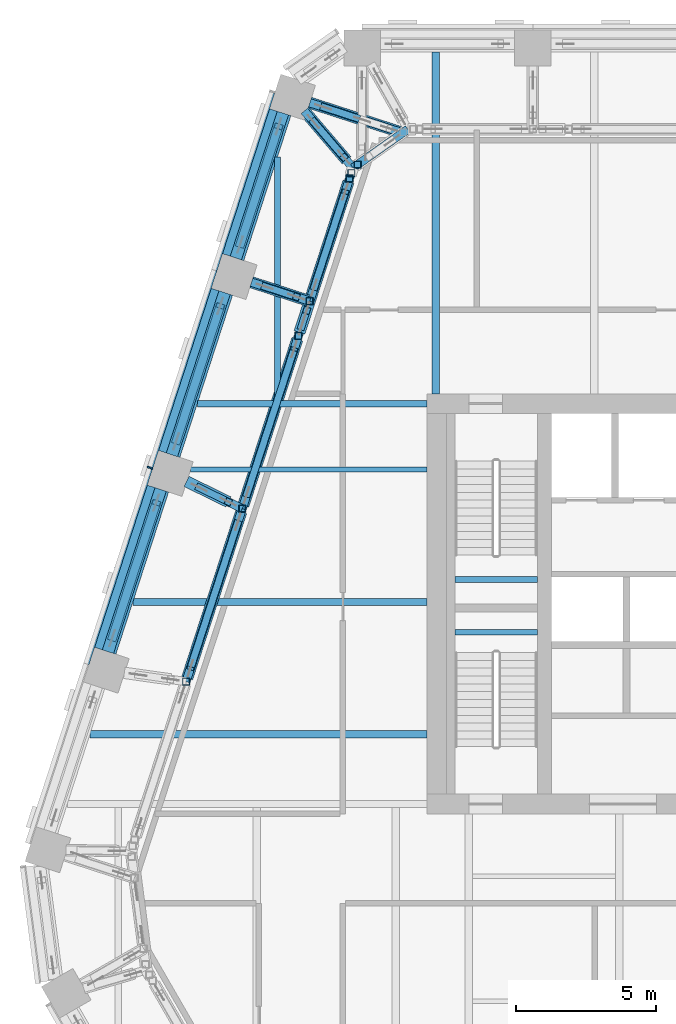
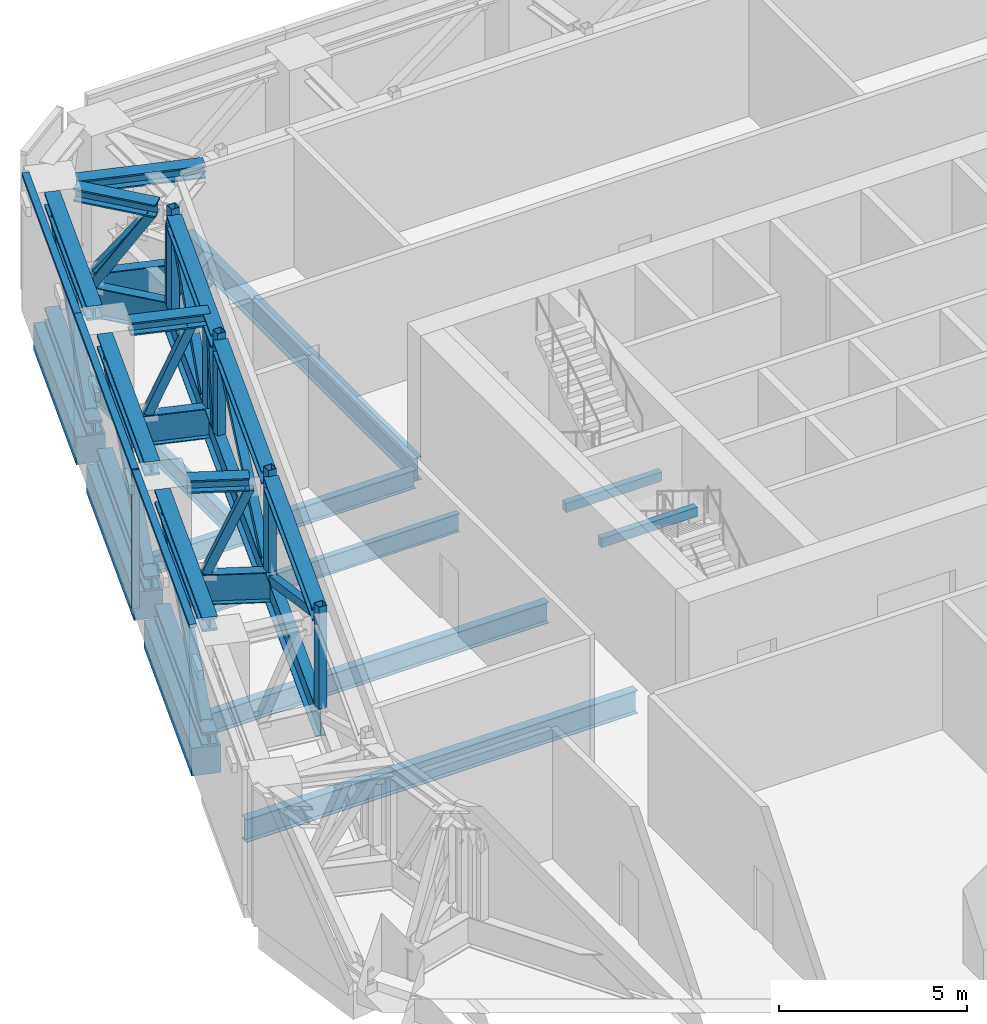
# One storey, part 9 of 26: 43 members, 11 beams, 1 element without a shape of its own.
"""IFC4 building model written with IfcOpenShell, lengths in metres."""

import ifcopenshell
import ifcopenshell.guid

model = None  # the IFC model being written
_history = None  # IfcOwnerHistory: only IFC2X3 demands one
_inside = {}  # id of a spatial element -> (the spatial element, [elements in it])
_under = {}  # id of a project, library or spatial element -> (it, [spatial elements below it])
_declared = {}  # id of a project -> (the project, [libraries it declares])
_typed = {}  # id of a type object -> (the type object, [elements of that type])
_made_of = {}  # id of a material, layer set ... -> (it, [elements and type objects made of it])


def new_model(schema):
    """Start an empty IFC model of exactly this schema.

    Asked for "IFC4X3", IfcOpenShell would pick the latest addendum, in which some entities
    have other attributes; the version numbers below select the first issue.
    IFC2X3 requires an IfcOwnerHistory on every rooted entity: one is made here for all.
    """
    global model, _history
    if schema == "IFC4X3":
        model = ifcopenshell.file(schema_version=(4, 3, 0, 0))
    else:
        model = ifcopenshell.file(schema=schema)
    _inside.clear()
    _under.clear()
    _declared.clear()
    _typed.clear()
    _made_of.clear()
    _history = None
    if model.schema == "IFC2X3":
        org = make("IfcOrganization", Name="unknown")
        user = make(
            "IfcPersonAndOrganization",
            ThePerson=make("IfcPerson", FamilyName="unknown"),
            TheOrganization=org,
        )
        app = make(
            "IfcApplication",
            ApplicationDeveloper=org,
            Version="unknown",
            ApplicationFullName="unknown",
            ApplicationIdentifier="unknown",
        )
        _history = make(
            "IfcOwnerHistory",
            OwningUser=user,
            OwningApplication=app,
            ChangeAction="ADDED",
            CreationDate=0,
        )
    return model


def make(cls, **values):
    """One entity of the class cls with the attributes given. An attribute that is None is left unset."""
    return model.create_entity(
        cls, **{name: value for name, value in values.items() if value is not None}
    )


def rooted(cls, **values):
    """An entity with a GlobalId (a new one), such as an element, a storey or a relation."""
    return make(cls, GlobalId=ifcopenshell.guid.new(), OwnerHistory=_history, **values)


def si_unit(unit_type, name, prefix=None):
    """IfcSIUnit, for example si_unit("LENGTHUNIT", "METRE", prefix="MILLI")."""
    return make("IfcSIUnit", UnitType=unit_type, Prefix=prefix, Name=name)


def assignment(units):
    """IfcUnitAssignment: the units of a project."""
    return None if units is None else make("IfcUnitAssignment", Units=units)


def point(xyz):
    """IfcCartesianPoint."""
    return None if xyz is None else make("IfcCartesianPoint", Coordinates=xyz)


def direction(xyz):
    """IfcDirection."""
    return None if xyz is None else make("IfcDirection", DirectionRatios=xyz)


def frame(location, z_axis=None, x_axis=None):
    """IfcAxis2Placement3D, a coordinate frame: its origin and axes. An axis left out is left unset."""
    return make(
        "IfcAxis2Placement3D",
        Location=point(location),
        Axis=direction(z_axis),
        RefDirection=direction(x_axis),
    )


def frame_2d(location, x_axis=None):
    """IfcAxis2Placement2D, a coordinate frame in the plane: its origin and x axis."""
    return make(
        "IfcAxis2Placement2D", Location=point(location), RefDirection=direction(x_axis)
    )


def origin():
    """The frame at (0, 0, 0) with its axes left unset."""
    return frame((0.0, 0.0, 0.0))


def origin_2d():
    """The frame at (0, 0) in the plane with its x axis left unset."""
    return frame_2d((0.0, 0.0))


def place(relative_to, where):
    """IfcLocalPlacement: puts the frame where relative to a parent placement (None: the world)."""
    return make(
        "IfcLocalPlacement", PlacementRelTo=relative_to, RelativePlacement=where
    )


def context(
    kind, dimensions, precision=None, world=None, true_north=None, identifier=None
):
    """IfcGeometricRepresentationContext, for example the 3D "Model" context."""
    return make(
        "IfcGeometricRepresentationContext",
        ContextIdentifier=identifier,
        ContextType=kind,
        CoordinateSpaceDimension=dimensions,
        Precision=precision,
        WorldCoordinateSystem=world,
        TrueNorth=true_north,
    )


def subcontext(parent, identifier, kind, view, scale=None):
    """IfcGeometricRepresentationSubContext, for example "Body" below "Model"."""
    return make(
        "IfcGeometricRepresentationSubContext",
        ContextIdentifier=identifier,
        ContextType=kind,
        ParentContext=parent,
        TargetScale=scale,
        TargetView=view,
    )


def project(units=None, contexts=None):
    """IfcProject with its units and contexts."""
    return rooted(
        "IfcProject",
        Name="project",
        RepresentationContexts=contexts,
        UnitsInContext=assignment(units),
    )


def spatial(cls, under=None, at=None, **own):
    """A site, building, storey or space (cls), placed at a placement, below another one or the project."""
    s = rooted(cls, ObjectPlacement=at, **own)
    if under is not None:
        _under.setdefault(under.id(), (under, []))[1].append(s)
    return s


def profile(cls, at=None, kind="AREA", **sizes):
    """A parametric profile (cls). Its sizes go by their IFC names, for example OverallWidth=200.0."""
    return make(cls, ProfileType=kind, Position=at, **sizes)


def rectangle(**sizes):
    """IfcRectangleProfileDef."""
    return profile("IfcRectangleProfileDef", **sizes)


def hollow_rectangle(**sizes):
    """IfcRectangleHollowProfileDef."""
    return profile("IfcRectangleHollowProfileDef", **sizes)


def i_section(**sizes):
    """IfcIShapeProfileDef."""
    return profile("IfcIShapeProfileDef", **sizes)


def extrude(swept, where, along, depth):
    """IfcExtrudedAreaSolid: the profile swept, set in the frame where, extruded along a direction by depth."""
    return make(
        "IfcExtrudedAreaSolid",
        SweptArea=swept,
        Position=where,
        ExtrudedDirection=direction(along),
        Depth=depth,
    )


def shape(context_of_items, identifier, shape_type, items):
    """IfcShapeRepresentation: the items that make up one representation, for example the "Body"."""
    return make(
        "IfcShapeRepresentation",
        ContextOfItems=context_of_items,
        RepresentationIdentifier=identifier,
        RepresentationType=shape_type,
        Items=items,
    )


def material(Name=None, Category=None):
    """IfcMaterial."""
    return make("IfcMaterial", Name=Name, Category=Category)


def layer(
    of_material, thickness, ventilated=None, Name=None, Category=None, Priority=None
):
    """IfcMaterialLayer: one layer of a wall or slab, of a material (None: an air gap)."""
    return make(
        "IfcMaterialLayer",
        Material=of_material,
        LayerThickness=thickness,
        IsVentilated=ventilated,
        Name=Name,
        Category=Category,
        Priority=Priority,
    )


def layer_set(layers, Name=None):
    """IfcMaterialLayerSet."""
    return make("IfcMaterialLayerSet", MaterialLayers=layers, LayerSetName=Name)


def material_profile(
    of_material, cross_section, Name=None, Category=None, Priority=None
):
    """IfcMaterialProfile: a cross section and its material."""
    return make(
        "IfcMaterialProfile",
        Name=Name,
        Material=of_material,
        Profile=cross_section,
        Priority=Priority,
        Category=Category,
    )


def profile_set(profiles, Name=None, composite=None):
    """IfcMaterialProfileSet."""
    return make(
        "IfcMaterialProfileSet",
        Name=Name,
        MaterialProfiles=profiles,
        CompositeProfile=composite,
    )


def made_of(thing, what):
    """Note that an element or type object is made of a material, layer set ...; save() writes the relation."""
    if what is not None:
        _made_of.setdefault(what.id(), (what, []))[1].append(thing)
    return thing


def type_object(cls, material=None, **own):
    """A type object (cls), such as IfcWallType, which elements share."""
    return made_of(rooted(cls, **own), material)


def element(
    cls,
    number,
    at=None,
    inside=None,
    cuts=None,
    type_object=None,
    material=None,
    context=None,
    identifier="Body",
    shape_type=None,
    held_by="IfcProductDefinitionShape",
    body=None,
    shapes=None,
    **own,
):
    """One element of the class cls, such as IfcWall. Its Tag is "e" and its number.

    at: its placement. inside: the storey or other place that contains it. cuts: it is an
    opening in that element (IfcRelVoidsElement). A single representation is given by context,
    identifier, shape_type and body (its items); several are given by shapes. held_by: the class
    of the entity that holds the representations. save() writes the other relations.
    """
    e = rooted(cls, Tag="e%d" % number, ObjectPlacement=at, **own)
    if body is not None:
        shapes = [shape(context, identifier, shape_type, body)]
    if shapes is not None:
        e.Representation = make(held_by, Representations=shapes)
    if inside is not None:
        _inside.setdefault(inside.id(), (inside, []))[1].append(e)
    if cuts is not None:
        rooted(
            "IfcRelVoidsElement", RelatingBuildingElement=cuts, RelatedOpeningElement=e
        )
    if type_object is not None:
        _typed.setdefault(type_object.id(), (type_object, []))[1].append(e)
    return made_of(e, material)


def aggregate(whole, parts):
    """IfcRelAggregates: a whole, such as a stair, and the parts it consists of."""
    return rooted("IfcRelAggregates", RelatingObject=whole, RelatedObjects=parts)


def save(model, path):
    """Write the relations noted so far, then the file.

    IfcRelAggregates (storeys below a building ...), IfcRelContainedInSpatialStructure (elements
    in a storey), IfcRelDefinesByType, IfcRelAssociatesMaterial and IfcRelDeclares: one each for
    every whole, place, type object, material and project.
    """
    for whole, parts in _under.values():
        aggregate(whole, parts)
    for where, things in _inside.values():
        rooted(
            "IfcRelContainedInSpatialStructure",
            RelatedElements=things,
            RelatingStructure=where,
        )
    for kind, things in _typed.values():
        rooted("IfcRelDefinesByType", RelatedObjects=things, RelatingType=kind)
    for what, things in _made_of.values():
        rooted("IfcRelAssociatesMaterial", RelatedObjects=things, RelatingMaterial=what)
    for by, libraries in _declared.values():
        rooted("IfcRelDeclares", RelatingContext=by, RelatedDefinitions=libraries)
    model.write(path)


model = new_model("IFC4")

# Units and contexts
model_context = context("Model", 3, precision=1e-05, world=origin(), true_north=direction((0.0, 1.0)))
body_context = subcontext(model_context, "Body", "Model", "MODEL_VIEW")
ifc_project = project(units=[si_unit("LENGTHUNIT", "METRE"), si_unit("AREAUNIT", "SQUARE_METRE"), si_unit("VOLUMEUNIT", "CUBIC_METRE"), si_unit("PLANEANGLEUNIT", "RADIAN"), si_unit("MASSUNIT", "GRAM", prefix="KILO")], contexts=[model_context])

# Site, building, storey
site_placement = place(None, origin())
site = spatial("IfcSite", under=ifc_project, at=site_placement, CompositionType="ELEMENT")
building_placement = place(site_placement, origin())
building = spatial("IfcBuilding", under=site, at=building_placement, Name="Isthmus Gate Tower", CompositionType="ELEMENT")
storey_placement = place(building_placement, frame((0.0, 0.0, 207.300048828125)))
storey = spatial("IfcBuildingStorey", under=building, at=storey_placement, Name="L52", CompositionType="ELEMENT", Elevation=207.300048828125)

# Members
ifc_material_1 = material(Name="Structural steel ASTM A913 Gr 65", Category="steel")
ifc_material_profile_1 = material_profile(ifc_material_1, i_section(OverallWidth=0.42236328125, OverallDepth=0.46337890625, WebThickness=0.04443359375, FlangeThickness=0.072998046875, at=origin_2d()), Name="W14X398")
ifc_profile_set_1 = profile_set([ifc_material_profile_1], Name="Structural steel ASTM A913 Gr 65")
member_type_1 = type_object("IfcMemberType", Name="BELT TRUSS CHORD W14X398", PredefinedType="CHORD", material=ifc_profile_set_1)
for number, where, z_axis, x_axis, name in (
    (1, (-26.39013671875, 5.79150390625, 0.231689453125), (0.309003593002, 0.951060870561, 0.0), (-0.951060870561, 0.309003593002, 0.0), "str-belt22-L52-01"),
    (2, (-26.39013671875, 5.79150390625, 3.96826171875), (0.309003593002, 0.951060870561, 0.0), (-0.951060870561, 0.309003593002, 0.0), "str-belt22-L52-02"),
    (3, (-24.106201171875, 12.820556640625, 0.231689453125), (0.309003593002, 0.951060870561, 0.0), (-0.951060870561, 0.309003593002, 0.0), "str-belt23-L52-01"),
    (4, (-24.106201171875, 12.820556640625, 3.96826171875), (0.309003593002, 0.951060870561, 0.0), (-0.951060870561, 0.309003593002, 0.0), "str-belt23-L52-02"),
):
    element("IfcMember", number, at=place(storey_placement, frame(where, z_axis=z_axis, x_axis=x_axis)), inside=storey, type_object=member_type_1, Name=name, PredefinedType="CHORD", context=body_context, shape_type="SweptSolid", body=[
        extrude(i_section(OverallWidth=0.42236328125, OverallDepth=0.46337890625, WebThickness=0.04443359375, FlangeThickness=0.072998046875, at=origin_2d()), origin(), (0.0, 0.0, 1.0), 6.0908203125),
    ])
for number, where, z_axis, x_axis, name in (
    (5, (-21.822265625, 19.849609375, 0.231689453125), (0.308989680586, 0.95106539065, 0.0), (-0.95106539065, 0.308989680586, 0.0), "str-belt24-L52-01"),
    (6, (-21.822265625, 19.849609375, 3.96826171875), (0.308989680586, 0.95106539065, 0.0), (-0.95106539065, 0.308989680586, 0.0), "str-belt24-L52-02"),
):
    element("IfcMember", number, at=place(storey_placement, frame(where, z_axis=z_axis, x_axis=x_axis)), inside=storey, type_object=member_type_1, Name=name, PredefinedType="CHORD", context=body_context, shape_type="SweptSolid", body=[
        extrude(i_section(OverallWidth=0.42236328125, OverallDepth=0.46337890625, WebThickness=0.04443359375, FlangeThickness=0.072998046875, at=origin_2d()), origin(), (0.0, 0.0, 1.0), 5.44091796875),
    ])

# Curtain wall, members
ifc_material_2 = material(Name="Aluminium, pale champagne anodised", Category="aluminium")
ifc_layer = layer(ifc_material_2, 0.199951171875)
ifc_layer_set = layer_set([ifc_layer], Name="CW-2 LOUVRE CURTAIN WALL 200 DEEP")
curtain_wall_type = type_object("IfcCurtainWallType", Name="CW-2 LOUVRE CURTAIN WALL 200 DEEP", PredefinedType="NOTDEFINED", material=ifc_layer_set)
curtain_wall_placement = place(storey_placement, origin())
curtain_wall = element("IfcCurtainWall", 7, at=curtain_wall_placement, inside=storey, type_object=curtain_wall_type, Name="CW-2 NW L52", PredefinedType="NOTDEFINED")
ifc_material_3 = material(Name="Aluminium, pale champagne anodised", Category="aluminium")
ifc_material_profile_2 = material_profile(ifc_material_3, rectangle(XDim=0.06005859375, YDim=0.199951171875, at=origin_2d()), Name="60x200")
ifc_profile_set_2 = profile_set([ifc_material_profile_2], Name="Aluminium, pale champagne anodised")
member_type_2 = type_object("IfcMemberType", Name="CW-2 MULLION 60 X 200", PredefinedType="MULLION", material=ifc_profile_set_2)
member_1_placement = place(storey_placement, frame((-24.886962890625, 12.359130859375, 0.0), z_axis=(0.0, 0.0, 1.0), x_axis=(-0.309016994375, -0.951056516295, 0.0)))
member_1 = element("IfcMember", 8, at=member_1_placement, type_object=member_type_2, Name="CW-2 mullion", PredefinedType="MULLION", context=body_context, shape_type="SweptSolid", body=[
    extrude(rectangle(XDim=0.06005859375, YDim=0.199951171875, at=origin_2d()), origin(), (0.0, 0.0, 1.0), 4.5),
])
ifc_material_4 = material(Name="Aluminium, pale champagne anodised", Category="aluminium")
ifc_material_profile_3 = material_profile(ifc_material_4, rectangle(XDim=0.199951171875, YDim=0.110107421875, at=origin_2d()), Name="200x110")
ifc_profile_set_3 = profile_set([ifc_material_profile_3], Name="Aluminium, pale champagne anodised")
member_type_3 = type_object("IfcMemberType", Name="CW-2 TRANSOM 200 X 110", PredefinedType="USERDEFINED", material=ifc_profile_set_3)
member_2_placement = place(storey_placement, frame((-20.529296875, 25.7705078125, 4.445068359375), z_axis=(-0.309015834351, -0.951056893209, 0.0), x_axis=(0.951056893209, -0.309015834351, 0.0)))
member_2 = element("IfcMember", 9, at=member_2_placement, type_object=member_type_3, Name="CW-2 transom", ObjectType="TRANSOM", PredefinedType="USERDEFINED", context=body_context, shape_type="SweptSolid", body=[
    extrude(rectangle(XDim=0.199951171875, YDim=0.110107421875, at=origin_2d()), origin(), (0.0, 0.0, 1.0), 6.6806640625),
])
member_3_placement = place(storey_placement, frame((-22.59375, 19.416748046875, 4.445068359375), z_axis=(-0.309024076379, -0.951054215183, 0.0), x_axis=(0.951054215183, -0.309024076379, 0.0)))
member_3 = element("IfcMember", 10, at=member_3_placement, type_object=member_type_3, Name="CW-2 transom", ObjectType="TRANSOM", PredefinedType="USERDEFINED", context=body_context, shape_type="SweptSolid", body=[
    extrude(rectangle(XDim=0.199951171875, YDim=0.110107421875, at=origin_2d()), origin(), (0.0, 0.0, 1.0), 7.390869140625),
])
member_4_placement = place(storey_placement, frame((-24.896240234375, 12.33056640625, 4.445068359375), z_axis=(-0.309025074527, -0.951053890857, 0.0), x_axis=(0.951053890857, -0.309025074527, 0.0)))
member_4 = element("IfcMember", 11, at=member_4_placement, type_object=member_type_3, Name="CW-2 transom", ObjectType="TRANSOM", PredefinedType="USERDEFINED", context=body_context, shape_type="SweptSolid", body=[
    extrude(rectangle(XDim=0.199951171875, YDim=0.110107421875, at=origin_2d()), origin(), (0.0, 0.0, 1.0), 7.330810546875),
])
aggregate(curtain_wall, [member_2, member_3, member_1, member_4])

# Beams
ifc_material_5 = material(Name="Concrete f'c 60 MPa", Category="concrete")
ifc_material_profile_4 = material_profile(ifc_material_5, rectangle(XDim=0.800048828125, YDim=0.89990234375, at=origin_2d()), Name="RC 800X900")
ifc_profile_set_4 = profile_set([ifc_material_profile_4], Name="Concrete f'c 60 MPa")
beam_type_1 = type_object("IfcBeamType", Name="RC SPANDREL 800 X 900", PredefinedType="SPANDREL", material=ifc_profile_set_4)
for number, where, z_axis, x_axis, name in (
    (12, (-26.485107421875, 5.822265625, -0.449951171875), (0.309003593002, 0.951060870561, 0.0), (-0.951060870561, 0.309003593002, 0.0), "str-spandrel-L52-22"),
    (13, (-24.201416015625, 12.851318359375, -0.449951171875), (0.309039848514, 0.951049090232, 0.0), (-0.951049090232, 0.309039848514, 0.0), "str-spandrel-L52-23"),
):
    element("IfcBeam", number, at=place(storey_placement, frame(where, z_axis=z_axis, x_axis=x_axis)), inside=storey, type_object=beam_type_1, Name=name, PredefinedType="SPANDREL", context=body_context, shape_type="SweptSolid", body=[
        extrude(rectangle(XDim=0.800048828125, YDim=0.89990234375, at=origin_2d()), origin(), (0.0, 0.0, 1.0), 6.0908203125),
    ])
beam_1_placement = place(storey_placement, frame((-21.91748046875, 19.88037109375, -0.449951171875), z_axis=(0.309030267747, 0.951052203413, 0.0), x_axis=(-0.951052203413, 0.309030267747, 0.0)))
element("IfcBeam", 14, at=beam_1_placement, inside=storey, type_object=beam_type_1, Name="str-spandrel-L52-24", PredefinedType="SPANDREL", context=body_context, shape_type="SweptSolid", body=[
    extrude(rectangle(XDim=0.800048828125, YDim=0.89990234375, at=origin_2d()), origin(), (0.0, 0.0, 1.0), 5.44091796875),
])
ifc_material_6 = material(Name="Concrete f'c 40 MPa", Category="concrete")
ifc_material_profile_5 = material_profile(ifc_material_6, rectangle(XDim=0.199951171875, YDim=0.300048828125, at=origin_2d()), Name="STAIR LANDING BEAM RC 200 X 300")
ifc_profile_set_5 = profile_set([ifc_material_profile_5], Name="Concrete f'c 40 MPa")
beam_type_2 = type_object("IfcBeamType", Name="STAIR LANDING BEAM RC 200 X 300", PredefinedType="BEAM", material=ifc_profile_set_5)
for number, where, z_axis, x_axis, name in (
    (15, (-14.0, 8.3701171875, 1.89990234375), (1.0, 0.0, 0.0), (0.0, 1.0, 0.0), "L52 ST1 landing beam 1"),
    (16, (-14.0, 6.47998046875, 1.89990234375), (1.0, 0.0, 0.0), (0.0, 1.0, 0.0), "L52 ST7 landing beam 1"),
):
    element("IfcBeam", number, at=place(storey_placement, frame(where, z_axis=z_axis, x_axis=x_axis)), inside=storey, type_object=beam_type_2, Name=name, PredefinedType="BEAM", context=body_context, shape_type="SweptSolid", body=[
        extrude(rectangle(XDim=0.199951171875, YDim=0.300048828125, at=origin_2d()), origin(), (0.0, 0.0, 1.0), 2.949951171875),
    ])
ifc_material_7 = material(Name="Structural steel ASTM A992 Gr 50", Category="steel")
ifc_material_profile_6 = material_profile(ifc_material_7, i_section(OverallWidth=0.177734375, OverallDepth=0.60009765625, WebThickness=0.009521484375, FlangeThickness=0.0126953125, at=origin_2d()), Name="W24X55")
ifc_profile_set_6 = profile_set([ifc_material_profile_6], Name="Structural steel ASTM A992 Gr 50")
beam_type_3 = type_object("IfcBeamType", Name="STEEL FLOOR BEAM W24X55", PredefinedType="JOIST", material=ifc_profile_set_6)
beam_2_placement = place(storey_placement, frame((-23.43798828125, 12.28857421875, -0.60009765625), z_axis=(1.0, 0.0, 0.0), x_axis=(0.0, 1.0, 0.0)))
element("IfcBeam", 17, at=beam_2_placement, inside=storey, type_object=beam_type_3, Name="str-beam-L52-01-02", PredefinedType="JOIST", context=body_context, shape_type="SweptSolid", body=[
    extrude(i_section(OverallWidth=0.177734375, OverallDepth=0.60009765625, WebThickness=0.009521484375, FlangeThickness=0.0126953125, at=origin_2d()), origin(), (0.0, 0.0, 1.0), 8.43798828125),
])
ifc_material_8 = material(Name="Structural steel ASTM A992 Gr 50", Category="steel")
ifc_material_profile_7 = material_profile(ifc_material_8, i_section(OverallWidth=0.228515625, OverallDepth=0.603271484375, WebThickness=0.010986328125, FlangeThickness=0.014404296875, at=origin_2d()), Name="W24X68")
ifc_profile_set_7 = profile_set([ifc_material_profile_7], Name="Structural steel ASTM A992 Gr 50")
beam_type_4 = type_object("IfcBeamType", Name="STEEL FLOOR BEAM W24X68", PredefinedType="JOIST", material=ifc_profile_set_7)
beam_3_placement = place(storey_placement, frame((-20.332763671875, 14.764404296875, -0.6015625), z_axis=(0.0, 1.0, 0.0), x_axis=(-1.0, 0.0, 0.0)))
element("IfcBeam", 18, at=beam_3_placement, inside=storey, type_object=beam_type_4, Name="str-beam-L52-05-00", PredefinedType="JOIST", context=body_context, shape_type="SweptSolid", body=[
    extrude(i_section(OverallWidth=0.228515625, OverallDepth=0.603271484375, WebThickness=0.010986328125, FlangeThickness=0.014404296875, at=origin_2d()), origin(), (0.0, 0.0, 1.0), 8.69873046875),
])
ifc_material_9 = material(Name="Structural steel ASTM A992 Gr 50", Category="steel")
ifc_material_profile_8 = material_profile(ifc_material_9, i_section(OverallWidth=0.25390625, OverallDepth=0.679443359375, WebThickness=0.010986328125, FlangeThickness=0.015869140625, at=origin_2d()), Name="W27X84")
ifc_profile_set_8 = profile_set([ifc_material_profile_8], Name="Structural steel ASTM A992 Gr 50")
beam_type_5 = type_object("IfcBeamType", Name="STEEL FLOOR BEAM W27X84", PredefinedType="JOIST", material=ifc_profile_set_8)
beam_4_placement = place(storey_placement, frame((-25.498046875, 7.56591796875, -0.6396484375), z_axis=(1.0, 0.0, 0.0), x_axis=(0.0, 1.0, 0.0)))
element("IfcBeam", 19, at=beam_4_placement, inside=storey, type_object=beam_type_5, Name="str-beam-L52-01-01", PredefinedType="JOIST", context=body_context, shape_type="SweptSolid", body=[
    extrude(i_section(OverallWidth=0.25390625, OverallDepth=0.679443359375, WebThickness=0.010986328125, FlangeThickness=0.015869140625, at=origin_2d()), origin(), (0.0, 0.0, 1.0), 10.498046875),
])
ifc_material_10 = material(Name="Structural steel ASTM A992 Gr 50", Category="steel")
ifc_material_profile_9 = material_profile(ifc_material_10, i_section(OverallWidth=0.263427734375, OverallDepth=0.749267578125, WebThickness=0.0126953125, FlangeThickness=0.015869140625, at=origin_2d()), Name="W30X90")
ifc_profile_set_9 = profile_set([ifc_material_profile_9], Name="Structural steel ASTM A992 Gr 50")
beam_type_6 = type_object("IfcBeamType", Name="STEEL FLOOR BEAM W30X90", PredefinedType="JOIST", material=ifc_profile_set_9)
beam_5_placement = place(storey_placement, frame((-27.03271484375, 2.843017578125, -0.6748046875), z_axis=(1.0, 0.0, 0.0), x_axis=(0.0, 1.0, 0.0)))
element("IfcBeam", 20, at=beam_5_placement, inside=storey, type_object=beam_type_6, Name="str-beam-L52-01-00", PredefinedType="JOIST", context=body_context, shape_type="SweptSolid", body=[
    extrude(i_section(OverallWidth=0.263427734375, OverallDepth=0.749267578125, WebThickness=0.0126953125, FlangeThickness=0.015869140625, at=origin_2d()), origin(), (0.0, 0.0, 1.0), 12.03271484375),
])
beam_6_placement = place(storey_placement, frame((-14.679931640625, 15.0, -0.6748046875), z_axis=(0.0, 1.0, 0.0), x_axis=(-1.0, 0.0, 0.0)))
element("IfcBeam", 21, at=beam_6_placement, inside=storey, type_object=beam_type_6, Name="str-beam-L52-05-01", PredefinedType="JOIST", context=body_context, shape_type="SweptSolid", body=[
    extrude(i_section(OverallWidth=0.263427734375, OverallDepth=0.749267578125, WebThickness=0.0126953125, FlangeThickness=0.015869140625, at=origin_2d()), origin(), (0.0, 0.0, 1.0), 12.199951171875),
])
ifc_material_11 = material(Name="Structural steel ASTM A992 Gr 50", Category="steel")
ifc_material_profile_10 = material_profile(ifc_material_11, i_section(OverallWidth=0.228515625, OverallDepth=0.6064453125, WebThickness=0.010986328125, FlangeThickness=0.017578125, at=origin_2d()), Name="W24X76")
ifc_profile_set_10 = profile_set([ifc_material_profile_10], Name="Structural steel ASTM A992 Gr 50")
beam_type_7 = type_object("IfcBeamType", Name="STEEL GIRDER W24X76", PredefinedType="BEAM", material=ifc_profile_set_10)
beam_7_placement = place(storey_placement, frame((-15.0, 14.64990234375, -0.603271484375), z_axis=(-1.0, 0.0, 0.0), x_axis=(0.0, -1.0, 0.0)))
element("IfcBeam", 22, at=beam_7_placement, inside=storey, type_object=beam_type_7, Name="str-girder-L52-15", PredefinedType="BEAM", context=body_context, shape_type="SweptSolid", body=[
    extrude(i_section(OverallWidth=0.228515625, OverallDepth=0.6064453125, WebThickness=0.010986328125, FlangeThickness=0.017578125, at=origin_2d()), origin(), (0.0, 0.0, 1.0), 8.1962890625),
])

# Members
ifc_material_12 = material(Name="Structural steel ASTM A913 Gr 65", Category="steel")
ifc_material_profile_11 = material_profile(ifc_material_12, i_section(OverallWidth=0.406494140625, OverallDepth=0.416015625, WebThickness=0.0302734375, FlangeThickness=0.047607421875, at=origin_2d()), Name="W14X257")
ifc_profile_set_11 = profile_set([ifc_material_profile_11], Name="Structural steel ASTM A913 Gr 65")
member_type_4 = type_object("IfcMemberType", Name="TRANSFER TRUSS CHORD W14X257", PredefinedType="CHORD", material=ifc_profile_set_11)
for number, where, z_axis, x_axis, name in (
    (23, (-23.56005859375, 4.843505859375, 3.89208984375), (0.309032973498, 0.951051324215, 0.0), (-0.951051324215, 0.309032973498, 0.0), "str-ring09-L52-15"),
    (24, (-21.553955078125, 11.017822265625, 3.89208984375), (0.309032973498, 0.951051324215, 0.0), (-0.951051324215, 0.309032973498, 0.0), "str-ring09-L52-16"),
):
    element("IfcMember", number, at=place(storey_placement, frame(where, z_axis=z_axis, x_axis=x_axis)), inside=storey, type_object=member_type_4, Name=name, PredefinedType="CHORD", context=body_context, shape_type="SweptSolid", body=[
        extrude(i_section(OverallWidth=0.406494140625, OverallDepth=0.416015625, WebThickness=0.0302734375, FlangeThickness=0.047607421875, at=origin_2d()), origin(), (0.0, 0.0, 1.0), 6.238037109375),
    ])
member_5_placement = place(storey_placement, frame((-19.5478515625, 17.19189453125, 3.89208984375), z_axis=(0.30902944408, 0.951052471051, 0.0), x_axis=(-0.951052471051, 0.30902944408, 0.0)))
element("IfcMember", 25, at=member_5_placement, inside=storey, type_object=member_type_4, Name="str-ring09-L52-17", PredefinedType="CHORD", context=body_context, shape_type="SweptSolid", body=[
    extrude(i_section(OverallWidth=0.406494140625, OverallDepth=0.416015625, WebThickness=0.0302734375, FlangeThickness=0.047607421875, at=origin_2d()), origin(), (0.0, 0.0, 1.0), 5.654296875),
])
member_6_placement = place(storey_placement, frame((-19.179443359375, 25.39501953125, 3.89208984375), z_axis=(0.951065465435, -0.308989450397, 0.0), x_axis=(0.308989450397, 0.951065465435, 0.0)))
element("IfcMember", 26, at=member_6_placement, inside=storey, type_object=member_type_4, Name="str-link05-L52-02", PredefinedType="CHORD", context=body_context, shape_type="SweptSolid", body=[
    extrude(i_section(OverallWidth=0.406494140625, OverallDepth=0.416015625, WebThickness=0.0302734375, FlangeThickness=0.047607421875, at=origin_2d()), origin(), (0.0, 0.0, 1.0), 3.4853515625),
])
member_7_placement = place(storey_placement, frame((-21.262451171875, 18.984130859375, 3.89208984375), z_axis=(0.951058704225, -0.309010260538, 0.0), x_axis=(0.309010260538, 0.951058704225, 0.0)))
element("IfcMember", 27, at=member_7_placement, inside=storey, type_object=member_type_4, Name="str-link06-L52-02", PredefinedType="CHORD", context=body_context, shape_type="SweptSolid", body=[
    extrude(i_section(OverallWidth=0.406494140625, OverallDepth=0.416015625, WebThickness=0.0302734375, FlangeThickness=0.047607421875, at=origin_2d()), origin(), (0.0, 0.0, 1.0), 2.1845703125),
])
member_8_placement = place(storey_placement, frame((-23.58056640625, 11.8701171875, 3.89208984375), z_axis=(0.898050831163, -0.439891696498, 0.0), x_axis=(0.439891696498, 0.898050831163, 0.0)))
element("IfcMember", 28, at=member_8_placement, inside=storey, type_object=member_type_4, Name="str-link07-L52-02", PredefinedType="CHORD", context=body_context, shape_type="SweptSolid", body=[
    extrude(i_section(OverallWidth=0.406494140625, OverallDepth=0.416015625, WebThickness=0.0302734375, FlangeThickness=0.047607421875, at=origin_2d()), origin(), (0.0, 0.0, 1.0), 1.6572265625),
])
member_9_placement = place(storey_placement, frame((-19.375, 25.10205078125, 3.89208984375), z_axis=(0.649968301541, -0.759961319405, 0.0), x_axis=(0.759961319405, 0.649968301541, 0.0)))
element("IfcMember", 29, at=member_9_placement, inside=storey, type_object=member_type_4, Name="str-link40-L52-02", PredefinedType="CHORD", context=body_context, shape_type="SweptSolid", body=[
    extrude(i_section(OverallWidth=0.406494140625, OverallDepth=0.416015625, WebThickness=0.0302734375, FlangeThickness=0.047607421875, at=origin_2d()), origin(), (0.0, 0.0, 1.0), 2.32177734375),
])
ifc_material_13 = material(Name="Structural steel ASTM A913 Gr 65", Category="steel")
ifc_material_profile_12 = material_profile(ifc_material_13, i_section(OverallWidth=0.29833984375, OverallDepth=0.981201171875, WebThickness=0.015869140625, FlangeThickness=0.025390625, at=origin_2d()), Name="W40X167")
ifc_profile_set_12 = profile_set([ifc_material_profile_12], Name="Structural steel ASTM A913 Gr 65")
member_type_5 = type_object("IfcMemberType", Name="TRANSFER TRUSS CHORD W40X167", PredefinedType="CHORD", material=ifc_profile_set_12)
member_10_placement = place(storey_placement, frame((-23.599365234375, 4.72265625, 0.490478515625), z_axis=(0.309009541063, 0.951058937991, 0.0), x_axis=(-0.951058937991, 0.309009541063, 0.0)))
element("IfcMember", 30, at=member_10_placement, inside=storey, type_object=member_type_5, Name="str-ring09-L52-10", PredefinedType="CHORD", context=body_context, shape_type="SweptSolid", body=[
    extrude(i_section(OverallWidth=0.29833984375, OverallDepth=0.981201171875, WebThickness=0.015869140625, FlangeThickness=0.025390625, at=origin_2d()), origin(), (0.0, 0.0, 1.0), 6.491943359375),
])
member_11_placement = place(storey_placement, frame((-21.59326171875, 10.89697265625, 0.490478515625), z_axis=(0.309010992999, 0.951058466239, 0.0), x_axis=(-0.951058466239, 0.309010992999, 0.0)))
element("IfcMember", 31, at=member_11_placement, inside=storey, type_object=member_type_5, Name="str-ring09-L52-11", PredefinedType="CHORD", context=body_context, shape_type="SweptSolid", body=[
    extrude(i_section(OverallWidth=0.29833984375, OverallDepth=0.981201171875, WebThickness=0.015869140625, FlangeThickness=0.025390625, at=origin_2d()), origin(), (0.0, 0.0, 1.0), 7.7939453125),
])
member_12_placement = place(storey_placement, frame((-19.184814453125, 18.3095703125, 0.490478515625), z_axis=(0.309049681388, 0.95104589502, 0.0), x_axis=(-0.95104589502, 0.309049681388, 0.0)))
element("IfcMember", 32, at=member_12_placement, inside=storey, type_object=member_type_5, Name="str-ring09-L52-12", PredefinedType="CHORD", context=body_context, shape_type="SweptSolid", body=[
    extrude(i_section(OverallWidth=0.29833984375, OverallDepth=0.981201171875, WebThickness=0.015869140625, FlangeThickness=0.025390625, at=origin_2d()), origin(), (0.0, 0.0, 1.0), 5.006103515625),
])
member_13_placement = place(storey_placement, frame((-17.6376953125, 23.070556640625, 0.490478515625), z_axis=(0.817841924494, 0.575442948119, 0.0), x_axis=(-0.575442948119, 0.817841924494, 0.0)))
element("IfcMember", 33, at=member_13_placement, inside=storey, type_object=member_type_5, Name="str-ring10-L52-03", PredefinedType="CHORD", context=body_context, shape_type="SweptSolid", body=[
    extrude(i_section(OverallWidth=0.29833984375, OverallDepth=0.981201171875, WebThickness=0.015869140625, FlangeThickness=0.025390625, at=origin_2d()), origin(), (0.0, 0.0, 1.0), 2.397216796875),
])
member_14_placement = place(storey_placement, frame((-19.179443359375, 25.39501953125, 0.490478515625), z_axis=(0.951065465435, -0.308989450397, 0.0), x_axis=(0.308989450397, 0.951065465435, 0.0)))
element("IfcMember", 34, at=member_14_placement, inside=storey, type_object=member_type_5, Name="str-link05-L52-01", PredefinedType="CHORD", context=body_context, shape_type="SweptSolid", body=[
    extrude(i_section(OverallWidth=0.29833984375, OverallDepth=0.981201171875, WebThickness=0.015869140625, FlangeThickness=0.025390625, at=origin_2d()), origin(), (0.0, 0.0, 1.0), 3.4853515625),
])
member_15_placement = place(storey_placement, frame((-21.262451171875, 18.984130859375, 0.490478515625), z_axis=(0.951058704225, -0.309010260538, 0.0), x_axis=(0.309010260538, 0.951058704225, 0.0)))
element("IfcMember", 35, at=member_15_placement, inside=storey, type_object=member_type_5, Name="str-link06-L52-01", PredefinedType="CHORD", context=body_context, shape_type="SweptSolid", body=[
    extrude(i_section(OverallWidth=0.29833984375, OverallDepth=0.981201171875, WebThickness=0.015869140625, FlangeThickness=0.025390625, at=origin_2d()), origin(), (0.0, 0.0, 1.0), 2.1845703125),
])
member_16_placement = place(storey_placement, frame((-23.58056640625, 11.8701171875, 0.490478515625), z_axis=(0.898060039671, -0.439872896581, 0.0), x_axis=(0.439872896581, 0.898060039671, 0.0)))
element("IfcMember", 36, at=member_16_placement, inside=storey, type_object=member_type_5, Name="str-link07-L52-01", PredefinedType="CHORD", context=body_context, shape_type="SweptSolid", body=[
    extrude(i_section(OverallWidth=0.29833984375, OverallDepth=0.981201171875, WebThickness=0.015869140625, FlangeThickness=0.025390625, at=origin_2d()), origin(), (0.0, 0.0, 1.0), 2.212890625),
])
member_17_placement = place(storey_placement, frame((-19.375, 25.10205078125, 0.490478515625), z_axis=(0.649933492367, -0.759991089093, 0.0), x_axis=(0.759991089093, 0.649933492367, 0.0)))
element("IfcMember", 37, at=member_17_placement, inside=storey, type_object=member_type_5, Name="str-link40-L52-01", PredefinedType="CHORD", context=body_context, shape_type="SweptSolid", body=[
    extrude(i_section(OverallWidth=0.29833984375, OverallDepth=0.981201171875, WebThickness=0.015869140625, FlangeThickness=0.025390625, at=origin_2d()), origin(), (0.0, 0.0, 1.0), 2.673095703125),
])
ifc_material_14 = material(Name="Structural steel ASTM A500 Gr C", Category="steel")
ifc_material_profile_13 = material_profile(ifc_material_14, hollow_rectangle(XDim=0.25390625, YDim=0.25390625, WallThickness=0.01171875, at=origin_2d()), Name="HSS10X10X1/2")
ifc_profile_set_13 = profile_set([ifc_material_profile_13], Name="Structural steel ASTM A500 Gr C")
member_type_6 = type_object("IfcMemberType", Name="TRANSFER TRUSS DIAGONAL HSS10X10X1/2", PredefinedType="BRACE", material=ifc_profile_set_13)
for number, where, z_axis, x_axis, name in (
    (38, (-21.747802734375, 10.42138671875, 0.98095703125), (-0.27724074232, -0.853300020313, 0.441606890946), (0.951060853492, -0.309003645537, 0.0), "str-ring09-L52-20"),
    (39, (-21.438720703125, 11.37255859375, 0.98095703125), (0.277277561066, 0.853290584212, 0.441602007497), (-0.951047788459, 0.309043854602, 0.0), "str-ring09-L52-21"),
):
    element("IfcMember", number, at=place(storey_placement, frame(where, z_axis=z_axis, x_axis=x_axis)), inside=storey, type_object=member_type_6, Name=name, PredefinedType="BRACE", context=body_context, shape_type="SweptSolid", body=[
        extrude(hollow_rectangle(XDim=0.25390625, YDim=0.25390625, WallThickness=0.01171875, at=origin_2d()), origin(), (0.0, 0.0, 1.0), 6.12109375),
    ])
member_18_placement = place(storey_placement, frame((-19.478515625, 17.405029296875, 0.98095703125), z_axis=(0.066923090102, 0.206059633161, 0.976248291979), x_axis=(-0.951096855055, 0.308892816854, 0.0)))
element("IfcMember", 40, at=member_18_placement, inside=storey, type_object=member_type_6, Name="str-ring09-L52-22", PredefinedType="BRACE", context=body_context, shape_type="SweptSolid", body=[
    extrude(hollow_rectangle(XDim=0.25390625, YDim=0.25390625, WallThickness=0.01171875, at=origin_2d()), origin(), (0.0, 0.0, 1.0), 2.768798828125),
])
member_19_placement = place(storey_placement, frame((-19.0302734375, 18.784912109375, 0.98095703125), z_axis=(0.247290311439, 0.760993273843, 0.599780575739), x_axis=(-0.951046008281, 0.309049332845, 0.0)))
element("IfcMember", 41, at=member_19_placement, inside=storey, type_object=member_type_6, Name="str-ring09-L52-23", PredefinedType="BRACE", context=body_context, shape_type="SweptSolid", body=[
    extrude(hollow_rectangle(XDim=0.25390625, YDim=0.25390625, WallThickness=0.01171875, at=origin_2d()), origin(), (0.0, 0.0, 1.0), 4.5068359375),
])
member_20_placement = place(storey_placement, frame((-18.703857421875, 25.240478515625, 0.98095703125), z_axis=(0.643681082835, -0.209063639994, 0.736184119656), x_axis=(0.308908707752, 0.951091693937, 0.0)))
element("IfcMember", 42, at=member_20_placement, inside=storey, type_object=member_type_6, Name="str-link05-L52-03", PredefinedType="BRACE", context=body_context, shape_type="SweptSolid", body=[
    extrude(hollow_rectangle(XDim=0.25390625, YDim=0.25390625, WallThickness=0.01171875, at=origin_2d()), origin(), (0.0, 0.0, 1.0), 2.16162109375),
])
member_21_placement = place(storey_placement, frame((-20.786865234375, 18.82958984375, 0.98095703125), z_axis=(0.381693759162, -0.124004972905, 0.915932661778), x_axis=(0.308983531668, 0.951067388337, 0.0)))
element("IfcMember", 43, at=member_21_placement, inside=storey, type_object=member_type_6, Name="str-link06-L52-03", PredefinedType="BRACE", context=body_context, shape_type="SweptSolid", body=[
    extrude(hollow_rectangle(XDim=0.25390625, YDim=0.25390625, WallThickness=0.01171875, at=origin_2d()), origin(), (0.0, 0.0, 1.0), 2.951171875),
])
member_22_placement = place(storey_placement, frame((-23.131591796875, 11.650146484375, 0.98095703125), z_axis=(0.353453366031, -0.173114932623, 0.919294260911), x_axis=(0.439857031749, 0.898067810146, 0.0)))
element("IfcMember", 44, at=member_22_placement, inside=storey, type_object=member_type_6, Name="str-link07-L52-03", PredefinedType="BRACE", context=body_context, shape_type="SweptSolid", body=[
    extrude(hollow_rectangle(XDim=0.25390625, YDim=0.25390625, WallThickness=0.01171875, at=origin_2d()), origin(), (0.0, 0.0, 1.0), 2.9404296875),
])
member_23_placement = place(storey_placement, frame((-19.050048828125, 24.721923828125, 0.98095703125), z_axis=(0.342069168881, -0.399899901743, 0.850334494353), x_axis=(0.759915523301, 0.650021843822, 0.0)))
element("IfcMember", 45, at=member_23_placement, inside=storey, type_object=member_type_6, Name="str-link40-L52-03", PredefinedType="BRACE", context=body_context, shape_type="SweptSolid", body=[
    extrude(hollow_rectangle(XDim=0.25390625, YDim=0.25390625, WallThickness=0.01171875, at=origin_2d()), origin(), (0.0, 0.0, 1.0), 3.178955078125),
])
ifc_material_15 = material(Name="Structural steel ASTM A500 Gr C", Category="steel")
ifc_material_profile_14 = material_profile(ifc_material_15, hollow_rectangle(XDim=0.25390625, YDim=0.25390625, WallThickness=0.01171875, at=origin_2d()), Name="HSS10X10X1/2")
ifc_profile_set_14 = profile_set([ifc_material_profile_14], Name="Structural steel ASTM A500 Gr C")
member_type_7 = type_object("IfcMemberType", Name="TRANSFER TRUSS POST HSS10X10X1/2", PredefinedType="POST", material=ifc_profile_set_14)
for number, where, z_axis, x_axis, name in (
    (46, (-23.599365234375, 4.72265625, 0.98095703125), (0.0, 0.0, 1.0), (1.0, 0.0, 0.0), "str-ring09-L52-03"),
    (47, (-21.59326171875, 10.89697265625, 0.98095703125), (0.0, 0.0, 1.0), (1.0, 0.0, 0.0), "str-ring09-L52-04"),
    (48, (-19.587158203125, 17.0712890625, 0.98095703125), (0.0, 0.0, 1.0), (1.0, 0.0, 0.0), "str-ring09-L52-05"),
):
    element("IfcMember", number, at=place(storey_placement, frame(where, z_axis=z_axis, x_axis=x_axis)), inside=storey, type_object=member_type_7, Name=name, PredefinedType="POST", context=body_context, shape_type="SweptSolid", body=[
        extrude(hollow_rectangle(XDim=0.25390625, YDim=0.25390625, WallThickness=0.01171875, at=origin_2d()), origin(), (0.0, 0.0, 1.0), 3.319091796875),
    ])
member_24_placement = place(storey_placement, frame((-19.184814453125, 18.3095703125, 0.98095703125), z_axis=(0.0, 0.0, 1.0), x_axis=(1.0, 0.0, 0.0)))
element("IfcMember", 49, at=member_24_placement, inside=storey, type_object=member_type_7, Name="str-ring09-L52-06", PredefinedType="POST", context=body_context, shape_type="SweptSolid", body=[
    extrude(hollow_rectangle(XDim=0.25390625, YDim=0.25390625, WallThickness=0.01171875, at=origin_2d()), origin(), (0.0, 0.0, 1.0), 2.703125),
])
member_25_placement = place(storey_placement, frame((-17.761474609375, 22.690185546875, 0.98095703125), z_axis=(0.0, 0.0, 1.0), x_axis=(1.0, 0.0, 0.0)))
element("IfcMember", 50, at=member_25_placement, inside=storey, type_object=member_type_7, Name="str-ring09-L52-07", PredefinedType="POST", context=body_context, shape_type="SweptSolid", body=[
    extrude(hollow_rectangle(XDim=0.25390625, YDim=0.25390625, WallThickness=0.01171875, at=origin_2d()), origin(), (0.0, 0.0, 1.0), 3.319091796875),
])
for number, where, z_axis, x_axis, name in (
    (51, (-17.699462890625, 22.88037109375, 0.98095703125), (0.0, 0.0, 1.0), (1.0, 0.0, 0.0), "str-ring09-L52-08"),
    (52, (-17.47412109375, 23.185791015625, 0.98095703125), (0.0, 0.0, 1.0), (1.0, 0.0, 0.0), "str-ring10-L52-01"),
):
    element("IfcMember", number, at=place(storey_placement, frame(where, z_axis=z_axis, x_axis=x_axis)), inside=storey, type_object=member_type_7, Name=name, PredefinedType="POST", context=body_context, shape_type="SweptSolid", body=[
        extrude(hollow_rectangle(XDim=0.25390625, YDim=0.25390625, WallThickness=0.01171875, at=origin_2d()), origin(), (0.0, 0.0, 1.0), 2.703125),
    ])
ifc_material_16 = material(Name="Structural steel ASTM A500 Gr C", Category="steel")
ifc_material_profile_15 = material_profile(ifc_material_16, hollow_rectangle(XDim=0.3046875, YDim=0.3046875, WallThickness=0.014892578125, at=origin_2d()), Name="HSS12X12X5/8")
ifc_profile_set_15 = profile_set([ifc_material_profile_15], Name="Structural steel ASTM A500 Gr C")
member_type_8 = type_object("IfcMemberType", Name="TRUSS DIAGONAL HSS12X12X5/8", PredefinedType="BRACE", material=ifc_profile_set_15)
member_26_placement = place(storey_placement, frame((-26.235595703125, 6.266845703125, 0.46337890625), z_axis=(0.259935719972, 0.79997597742, 0.540806672512), x_axis=(-0.951053802019, 0.309025347933, 0.0)))
element("IfcMember", 53, at=member_26_placement, inside=storey, type_object=member_type_8, Name="str-belt22-L52-03", PredefinedType="BRACE", context=body_context, shape_type="SweptSolid", body=[
    extrude(hollow_rectangle(XDim=0.3046875, YDim=0.3046875, WallThickness=0.014892578125, at=origin_2d()), origin(), (0.0, 0.0, 1.0), 6.052490234375),
])
member_27_placement = place(storey_placement, frame((-23.95166015625, 13.296142578125, 0.46337890625), z_axis=(0.25990649428, 0.79996984139, 0.540829794943), x_axis=(-0.951063316665, 0.308996064206, 0.0)))
element("IfcMember", 54, at=member_27_placement, inside=storey, type_object=member_type_8, Name="str-belt23-L52-03", PredefinedType="BRACE", context=body_context, shape_type="SweptSolid", body=[
    extrude(hollow_rectangle(XDim=0.3046875, YDim=0.3046875, WallThickness=0.014892578125, at=origin_2d()), origin(), (0.0, 0.0, 1.0), 6.05224609375),
])
member_28_placement = place(storey_placement, frame((-21.667724609375, 20.3251953125, 0.46337890625), z_axis=(0.248714581532, 0.765571805323, 0.593330319323), x_axis=(-0.951069212627, 0.308977916351, 0.0)))
element("IfcMember", 55, at=member_28_placement, inside=storey, type_object=member_type_8, Name="str-belt24-L52-03", PredefinedType="BRACE", context=body_context, shape_type="SweptSolid", body=[
    extrude(hollow_rectangle(XDim=0.3046875, YDim=0.3046875, WallThickness=0.014892578125, at=origin_2d()), origin(), (0.0, 0.0, 1.0), 5.5166015625),
])

save(model, "model.ifc")
